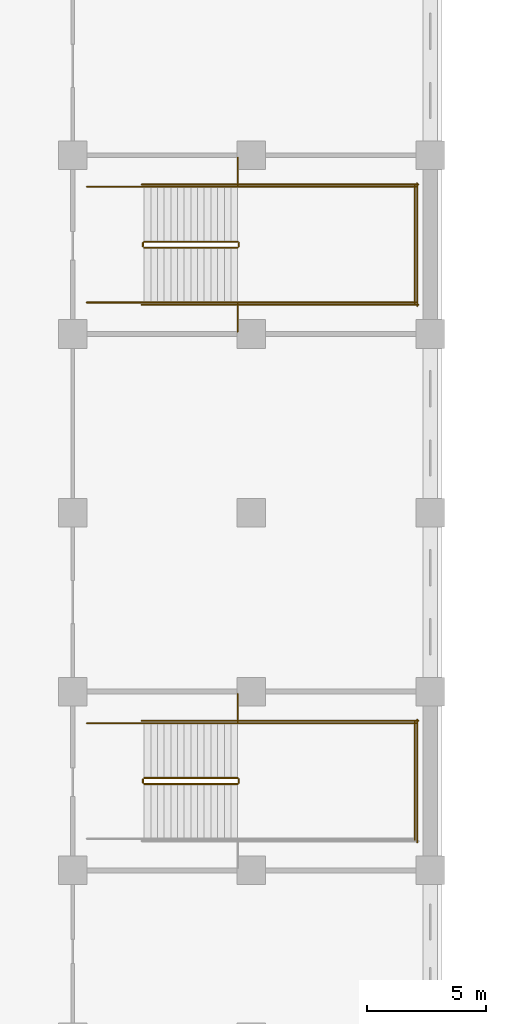
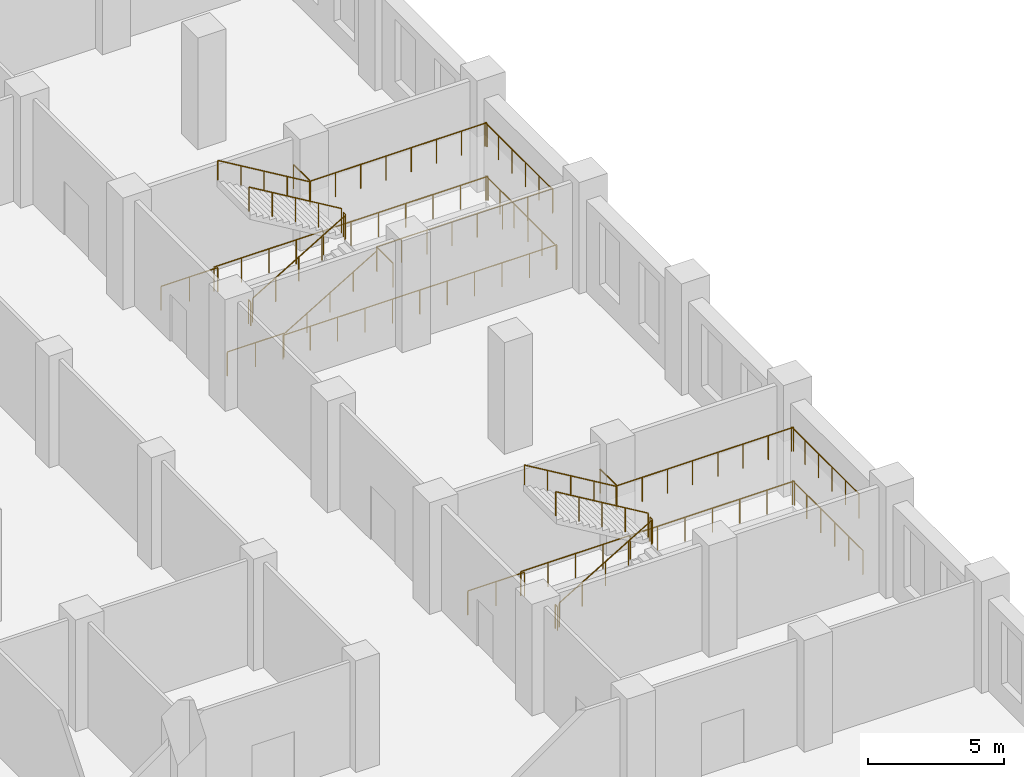
# One storey, part 24 of 32: 27 railings.
"""IFC4 building model written with IfcOpenShell, lengths in metres."""

from ifc_helpers import new_model, si_unit, direction, frame, origin, origin_2d, place, context, subcontext, project, spatial, circle, extrude, material, type_object, element, save


model = new_model("IFC4")

# Units and contexts
model_context = context("Model", 3, precision=1e-05, world=origin(), true_north=direction((0.0, 1.0)))
body_context = subcontext(model_context, "Body", "Model", "MODEL_VIEW")
ifc_project = project(units=[si_unit("LENGTHUNIT", "METRE"), si_unit("AREAUNIT", "SQUARE_METRE"), si_unit("VOLUMEUNIT", "CUBIC_METRE"), si_unit("PLANEANGLEUNIT", "RADIAN"), si_unit("MASSUNIT", "GRAM", prefix="KILO")], contexts=[model_context])

# Site, building, storey
site_placement = place(None, origin())
site = spatial("IfcSite", under=ifc_project, at=site_placement, CompositionType="ELEMENT")
building_placement = place(site_placement, origin())
building = spatial("IfcBuilding", under=site, at=building_placement, Name="Tamorin Gate", CompositionType="ELEMENT")
storey_placement = place(building_placement, frame((0.0, 0.0, 13.5)))
storey = spatial("IfcBuildingStorey", under=building, at=storey_placement, Name="L02", CompositionType="ELEMENT", Elevation=13.5)

# Railings
ifc_material = material(Name="Steel", Category="steel")
railing_type_1 = type_object("IfcRailingType", Name="Podium guard 1100", PredefinedType="GUARDRAIL", material=ifc_material)
railing_1_placement = place(storey_placement, frame((100.0, 56.125, 0.166748046875)))
element("IfcRailing", 1, at=railing_1_placement, inside=storey, type_object=railing_type_1, Name="L02 PS3 stair guard 1", PredefinedType="GUARDRAIL", context=body_context, shape_type="SweptSolid", body=[
    extrude(circle(Radius=0.02392578125, at=origin_2d()), frame((0.0, 0.0, 1.076171875), z_axis=(0.859296244711, 0.0, 0.511478214419), x_axis=(0.0, 1.0, 0.0)), (0.0, 0.0, 1.0), 4.561767578125),
    extrude(circle(Radius=0.02099609375, at=origin_2d()), origin(), (0.0, 0.0, 1.0), 1.052001953125),
    extrude(circle(Radius=0.02099609375, at=origin_2d()), frame((0.97998046875, 0.0, 0.583251953125)), (0.0, 0.0, 1.0), 1.052001953125),
    extrude(circle(Radius=0.02099609375, at=origin_2d()), frame((1.9599609375, 0.0, 1.16650390625)), (0.0, 0.0, 1.0), 1.052001953125),
    extrude(circle(Radius=0.02099609375, at=origin_2d()), frame((2.93994140625, 0.0, 1.75)), (0.0, 0.0, 1.0), 1.052001953125),
    extrude(circle(Radius=0.02099609375, at=origin_2d()), frame((3.919921875, 0.0, 2.333251953125)), (0.0, 0.0, 1.0), 1.052001953125),
])
railing_2_placement = place(storey_placement, frame((103.969970703125, 56.175048828125, 2.5)))
element("IfcRailing", 2, at=railing_2_placement, inside=storey, type_object=railing_type_1, Name="L02 PS3 stair guard 2", PredefinedType="GUARDRAIL", context=body_context, shape_type="SweptSolid", body=[
    extrude(circle(Radius=0.02392578125, at=origin_2d()), frame((0.0, 0.0, 1.076171875), z_axis=(0.0, 1.0, 0.0), x_axis=(-1.0, 0.0, 0.0)), (0.0, 0.0, 1.0), 0.14990234375),
    extrude(circle(Radius=0.02099609375, at=origin_2d()), origin(), (0.0, 0.0, 1.0), 1.052001953125),
    extrude(circle(Radius=0.02099609375, at=origin_2d()), frame((0.0, 0.14990234375, 0.0)), (0.0, 0.0, 1.0), 1.052001953125),
])
railing_3_placement = place(storey_placement, frame((103.919921875, 58.675048828125, 2.5)))
element("IfcRailing", 3, at=railing_3_placement, inside=storey, type_object=railing_type_1, Name="L02 PS3 stair guard 4", PredefinedType="GUARDRAIL", context=body_context, shape_type="SweptSolid", body=[
    extrude(circle(Radius=0.02392578125, at=origin_2d()), frame((0.0, 0.0, 1.076171875), z_axis=(1.0, 0.0, 0.0), x_axis=(0.0, 1.0, 0.0)), (0.0, 0.0, 1.0), 7.47998046875),
    extrude(circle(Radius=0.02099609375, at=origin_2d()), origin(), (0.0, 0.0, 1.0), 1.052001953125),
    extrude(circle(Radius=0.02099609375, at=origin_2d()), frame((1.068603515625, 0.0, 0.0)), (0.0, 0.0, 1.0), 1.052001953125),
    extrude(circle(Radius=0.02099609375, at=origin_2d()), frame((2.13720703125, 0.0, 0.0)), (0.0, 0.0, 1.0), 1.052001953125),
    extrude(circle(Radius=0.02099609375, at=origin_2d()), frame((3.205810546875, 0.0, 0.0)), (0.0, 0.0, 1.0), 1.052001953125),
    extrude(circle(Radius=0.02099609375, at=origin_2d()), frame((4.274169921875, 0.0, 0.0)), (0.0, 0.0, 1.0), 1.052001953125),
    extrude(circle(Radius=0.02099609375, at=origin_2d()), frame((5.3427734375, 0.0, 0.0)), (0.0, 0.0, 1.0), 1.052001953125),
    extrude(circle(Radius=0.02099609375, at=origin_2d()), frame((6.411376953125, 0.0, 0.0)), (0.0, 0.0, 1.0), 1.052001953125),
    extrude(circle(Radius=0.02099609375, at=origin_2d()), frame((7.47998046875, 0.0, 0.0)), (0.0, 0.0, 1.0), 1.052001953125),
])
railing_4_placement = place(storey_placement, frame((111.35009765625, 53.77490234375, 2.5)))
element("IfcRailing", 4, at=railing_4_placement, inside=storey, type_object=railing_type_1, Name="L02 PS3 stair guard 5", PredefinedType="GUARDRAIL", context=body_context, shape_type="SweptSolid", body=[
    extrude(circle(Radius=0.02392578125, at=origin_2d()), frame((0.0, 0.0, 1.076171875), z_axis=(0.0, 1.0, 0.0), x_axis=(-1.0, 0.0, 0.0)), (0.0, 0.0, 1.0), 4.9501953125),
    extrude(circle(Radius=0.02099609375, at=origin_2d()), origin(), (0.0, 0.0, 1.0), 1.052001953125),
    extrude(circle(Radius=0.02099609375, at=origin_2d()), frame((0.0, 0.989990234375, 0.0)), (0.0, 0.0, 1.0), 1.052001953125),
    extrude(circle(Radius=0.02099609375, at=origin_2d()), frame((0.0, 1.97998046875, 0.0)), (0.0, 0.0, 1.0), 1.052001953125),
    extrude(circle(Radius=0.02099609375, at=origin_2d()), frame((0.0, 2.97021484375, 0.0)), (0.0, 0.0, 1.0), 1.052001953125),
    extrude(circle(Radius=0.02099609375, at=origin_2d()), frame((0.0, 3.960205078125, 0.0)), (0.0, 0.0, 1.0), 1.052001953125),
    extrude(circle(Radius=0.02099609375, at=origin_2d()), frame((0.0, 4.9501953125, 0.0)), (0.0, 0.0, 1.0), 1.052001953125),
])
railing_5_placement = place(storey_placement, frame((103.919921875, 56.375, 2.666748046875)))
element("IfcRailing", 5, at=railing_5_placement, inside=storey, type_object=railing_type_1, Name="L02 PS3 stair guard 6", PredefinedType="GUARDRAIL", context=body_context, shape_type="SweptSolid", body=[
    extrude(circle(Radius=0.02392578125, at=origin_2d()), frame((0.0, 0.0, 1.076171875), z_axis=(-0.859296244711, 0.0, 0.511478214419), x_axis=(0.0, -1.0, 0.0)), (0.0, 0.0, 1.0), 4.561767578125),
    extrude(circle(Radius=0.02099609375, at=origin_2d()), origin(), (0.0, 0.0, 1.0), 1.052001953125),
    extrude(circle(Radius=0.02099609375, at=origin_2d()), frame((-0.97998046875, 0.0, 0.583251953125)), (0.0, 0.0, 1.0), 1.052001953125),
    extrude(circle(Radius=0.02099609375, at=origin_2d()), frame((-1.9599609375, 0.0, 1.16650390625)), (0.0, 0.0, 1.0), 1.052001953125),
    extrude(circle(Radius=0.02099609375, at=origin_2d()), frame((-2.93994140625, 0.0, 1.75)), (0.0, 0.0, 1.0), 1.052001953125),
    extrude(circle(Radius=0.02099609375, at=origin_2d()), frame((-3.919921875, 0.0, 2.333251953125)), (0.0, 0.0, 1.0), 1.052001953125),
])
railing_6_placement = place(storey_placement, frame((99.949951171875, 56.175048828125, 0.0)))
element("IfcRailing", 6, at=railing_6_placement, inside=storey, type_object=railing_type_1, Name="L02 PS3 stair guard 7", PredefinedType="GUARDRAIL", context=body_context, shape_type="SweptSolid", body=[
    extrude(circle(Radius=0.02392578125, at=origin_2d()), frame((0.0, 0.0, 1.076171875), z_axis=(0.0, 1.0, 0.0), x_axis=(-1.0, 0.0, 0.0)), (0.0, 0.0, 1.0), 0.14990234375),
    extrude(circle(Radius=0.02099609375, at=origin_2d()), origin(), (0.0, 0.0, 1.0), 1.052001953125),
    extrude(circle(Radius=0.02099609375, at=origin_2d()), frame((0.0, 0.14990234375, 0.0)), (0.0, 0.0, 1.0), 1.052001953125),
])
railing_7_placement = place(storey_placement, frame((97.60009765625, 58.675048828125, 0.0)))
element("IfcRailing", 7, at=railing_7_placement, inside=storey, type_object=railing_type_1, Name="L02 PS3 stair guard 9", PredefinedType="GUARDRAIL", context=body_context, shape_type="SweptSolid", body=[
    extrude(circle(Radius=0.02392578125, at=origin_2d()), frame((0.0, 0.0, 1.076171875), z_axis=(1.0, 0.0, 0.0), x_axis=(0.0, 1.0, 0.0)), (0.0, 0.0, 1.0), 2.39990234375),
    extrude(circle(Radius=0.02099609375, at=origin_2d()), origin(), (0.0, 0.0, 1.0), 1.052001953125),
    extrude(circle(Radius=0.02099609375, at=origin_2d()), frame((1.199951171875, 0.0, 0.0)), (0.0, 0.0, 1.0), 1.052001953125),
    extrude(circle(Radius=0.02099609375, at=origin_2d()), frame((2.39990234375, 0.0, 0.0)), (0.0, 0.0, 1.0), 1.052001953125),
])
railing_8_placement = place(storey_placement, frame((99.89990234375, 58.77490234375, 0.0)))
element("IfcRailing", 8, at=railing_8_placement, inside=storey, type_object=railing_type_1, Name="L02 PS3 stair guard 11", PredefinedType="GUARDRAIL", context=body_context, shape_type="SweptSolid", body=[
    extrude(circle(Radius=0.02392578125, at=origin_2d()), frame((0.0, 0.0, 1.076171875), z_axis=(1.0, 0.0, 0.0), x_axis=(0.0, 1.0, 0.0)), (0.0, 0.0, 1.0), 11.60009765625),
    extrude(circle(Radius=0.02099609375, at=origin_2d()), origin(), (0.0, 0.0, 1.0), 1.052001953125),
    extrude(circle(Radius=0.02099609375, at=origin_2d()), frame((1.159912109375, 0.0, 0.0)), (0.0, 0.0, 1.0), 1.052001953125),
    extrude(circle(Radius=0.02099609375, at=origin_2d()), frame((2.320068359375, 0.0, 0.0)), (0.0, 0.0, 1.0), 1.052001953125),
    extrude(circle(Radius=0.02099609375, at=origin_2d()), frame((3.47998046875, 0.0, 0.0)), (0.0, 0.0, 1.0), 1.052001953125),
    extrude(circle(Radius=0.02099609375, at=origin_2d()), frame((4.64013671875, 0.0, 0.0)), (0.0, 0.0, 1.0), 1.052001953125),
    extrude(circle(Radius=0.02099609375, at=origin_2d()), frame((5.800048828125, 0.0, 0.0)), (0.0, 0.0, 1.0), 1.052001953125),
    extrude(circle(Radius=0.02099609375, at=origin_2d()), frame((6.9599609375, 0.0, 0.0)), (0.0, 0.0, 1.0), 1.052001953125),
    extrude(circle(Radius=0.02099609375, at=origin_2d()), frame((8.1201171875, 0.0, 0.0)), (0.0, 0.0, 1.0), 1.052001953125),
    extrude(circle(Radius=0.02099609375, at=origin_2d()), frame((9.280029296875, 0.0, 0.0)), (0.0, 0.0, 1.0), 1.052001953125),
    extrude(circle(Radius=0.02099609375, at=origin_2d()), frame((10.440185546875, 0.0, 0.0)), (0.0, 0.0, 1.0), 1.052001953125),
    extrude(circle(Radius=0.02099609375, at=origin_2d()), frame((11.60009765625, 0.0, 0.0)), (0.0, 0.0, 1.0), 1.052001953125),
])
railing_9_placement = place(storey_placement, frame((111.449951171875, 53.675048828125, 0.0)))
element("IfcRailing", 9, at=railing_9_placement, inside=storey, type_object=railing_type_1, Name="L02 PS3 stair guard 12", PredefinedType="GUARDRAIL", context=body_context, shape_type="SweptSolid", body=[
    extrude(circle(Radius=0.02392578125, at=origin_2d()), frame((0.0, 0.0, 1.076171875), z_axis=(0.0, 1.0, 0.0), x_axis=(-1.0, 0.0, 0.0)), (0.0, 0.0, 1.0), 5.14990234375),
    extrude(circle(Radius=0.02099609375, at=origin_2d()), origin(), (0.0, 0.0, 1.0), 1.052001953125),
    extrude(circle(Radius=0.02099609375, at=origin_2d()), frame((0.0, 1.030029296875, 0.0)), (0.0, 0.0, 1.0), 1.052001953125),
    extrude(circle(Radius=0.02099609375, at=origin_2d()), frame((0.0, 2.06005859375, 0.0)), (0.0, 0.0, 1.0), 1.052001953125),
    extrude(circle(Radius=0.02099609375, at=origin_2d()), frame((0.0, 3.08984375, 0.0)), (0.0, 0.0, 1.0), 1.052001953125),
    extrude(circle(Radius=0.02099609375, at=origin_2d()), frame((0.0, 4.119873046875, 0.0)), (0.0, 0.0, 1.0), 1.052001953125),
    extrude(circle(Radius=0.02099609375, at=origin_2d()), frame((0.0, 5.14990234375, 0.0)), (0.0, 0.0, 1.0), 1.052001953125),
])
railing_10_placement = place(storey_placement, frame((103.919921875, 58.72509765625, 2.5)))
element("IfcRailing", 10, at=railing_10_placement, inside=storey, type_object=railing_type_1, Name="Landing edge guard", PredefinedType="GUARDRAIL", context=body_context, shape_type="SweptSolid", body=[
    extrude(circle(Radius=0.02392578125, at=origin_2d()), frame((0.0, 0.0, 1.076171875), z_axis=(0.0, 1.0, 0.0), x_axis=(-1.0, 0.0, 0.0)), (0.0, 0.0, 1.0), 1.1748046875),
    extrude(circle(Radius=0.02099609375, at=origin_2d()), origin(), (0.0, 0.0, 1.0), 1.052001953125),
    extrude(circle(Radius=0.02099609375, at=origin_2d()), frame((0.0, 1.1748046875, 0.0)), (0.0, 0.0, 1.0), 1.052001953125),
])
railing_11_placement = place(storey_placement, frame((100.0, 78.625, 0.166748046875)))
element("IfcRailing", 11, at=railing_11_placement, inside=storey, type_object=railing_type_1, Name="L02 PS5 stair guard 1", PredefinedType="GUARDRAIL", context=body_context, shape_type="SweptSolid", body=[
    extrude(circle(Radius=0.02392578125, at=origin_2d()), frame((0.0, 0.0, 1.076171875), z_axis=(0.859296244711, 0.0, 0.511478214419), x_axis=(0.0, 1.0, 0.0)), (0.0, 0.0, 1.0), 4.561767578125),
    extrude(circle(Radius=0.02099609375, at=origin_2d()), origin(), (0.0, 0.0, 1.0), 1.052001953125),
    extrude(circle(Radius=0.02099609375, at=origin_2d()), frame((0.97998046875, 0.0, 0.583251953125)), (0.0, 0.0, 1.0), 1.052001953125),
    extrude(circle(Radius=0.02099609375, at=origin_2d()), frame((1.9599609375, 0.0, 1.16650390625)), (0.0, 0.0, 1.0), 1.052001953125),
    extrude(circle(Radius=0.02099609375, at=origin_2d()), frame((2.93994140625, 0.0, 1.75)), (0.0, 0.0, 1.0), 1.052001953125),
    extrude(circle(Radius=0.02099609375, at=origin_2d()), frame((3.919921875, 0.0, 2.333251953125)), (0.0, 0.0, 1.0), 1.052001953125),
])
railing_12_placement = place(storey_placement, frame((103.969970703125, 78.675048828125, 2.5)))
element("IfcRailing", 12, at=railing_12_placement, inside=storey, type_object=railing_type_1, Name="L02 PS5 stair guard 2", PredefinedType="GUARDRAIL", context=body_context, shape_type="SweptSolid", body=[
    extrude(circle(Radius=0.02392578125, at=origin_2d()), frame((0.0, 0.0, 1.076171875), z_axis=(0.0, 1.0, 0.0), x_axis=(-1.0, 0.0, 0.0)), (0.0, 0.0, 1.0), 0.14990234375),
    extrude(circle(Radius=0.02099609375, at=origin_2d()), origin(), (0.0, 0.0, 1.0), 1.052001953125),
    extrude(circle(Radius=0.02099609375, at=origin_2d()), frame((0.0, 0.14990234375, 0.0)), (0.0, 0.0, 1.0), 1.052001953125),
])
for number, where, name in (
    (13, (103.919921875, 76.324951171875, 2.5), "L02 PS5 stair guard 3"),
    (14, (103.919921875, 81.175048828125, 2.5), "L02 PS5 stair guard 4"),
):
    element("IfcRailing", number, at=place(storey_placement, frame(where)), inside=storey, type_object=railing_type_1, Name=name, PredefinedType="GUARDRAIL", context=body_context, shape_type="SweptSolid", body=[
        extrude(circle(Radius=0.02392578125, at=origin_2d()), frame((0.0, 0.0, 1.076171875), z_axis=(1.0, 0.0, 0.0), x_axis=(0.0, 1.0, 0.0)), (0.0, 0.0, 1.0), 7.47998046875),
        extrude(circle(Radius=0.02099609375, at=origin_2d()), origin(), (0.0, 0.0, 1.0), 1.052001953125),
        extrude(circle(Radius=0.02099609375, at=origin_2d()), frame((1.068603515625, 0.0, 0.0)), (0.0, 0.0, 1.0), 1.052001953125),
        extrude(circle(Radius=0.02099609375, at=origin_2d()), frame((2.13720703125, 0.0, 0.0)), (0.0, 0.0, 1.0), 1.052001953125),
        extrude(circle(Radius=0.02099609375, at=origin_2d()), frame((3.205810546875, 0.0, 0.0)), (0.0, 0.0, 1.0), 1.052001953125),
        extrude(circle(Radius=0.02099609375, at=origin_2d()), frame((4.274169921875, 0.0, 0.0)), (0.0, 0.0, 1.0), 1.052001953125),
        extrude(circle(Radius=0.02099609375, at=origin_2d()), frame((5.3427734375, 0.0, 0.0)), (0.0, 0.0, 1.0), 1.052001953125),
        extrude(circle(Radius=0.02099609375, at=origin_2d()), frame((6.411376953125, 0.0, 0.0)), (0.0, 0.0, 1.0), 1.052001953125),
        extrude(circle(Radius=0.02099609375, at=origin_2d()), frame((7.47998046875, 0.0, 0.0)), (0.0, 0.0, 1.0), 1.052001953125),
    ])
railing_13_placement = place(storey_placement, frame((111.35009765625, 76.27490234375, 2.5)))
element("IfcRailing", 15, at=railing_13_placement, inside=storey, type_object=railing_type_1, Name="L02 PS5 stair guard 5", PredefinedType="GUARDRAIL", context=body_context, shape_type="SweptSolid", body=[
    extrude(circle(Radius=0.02392578125, at=origin_2d()), frame((0.0, 0.0, 1.076171875), z_axis=(0.0, 1.0, 0.0), x_axis=(-1.0, 0.0, 0.0)), (0.0, 0.0, 1.0), 4.9501953125),
    extrude(circle(Radius=0.02099609375, at=origin_2d()), origin(), (0.0, 0.0, 1.0), 1.052001953125),
    extrude(circle(Radius=0.02099609375, at=origin_2d()), frame((0.0, 0.989990234375, 0.0)), (0.0, 0.0, 1.0), 1.052001953125),
    extrude(circle(Radius=0.02099609375, at=origin_2d()), frame((0.0, 1.97998046875, 0.0)), (0.0, 0.0, 1.0), 1.052001953125),
    extrude(circle(Radius=0.02099609375, at=origin_2d()), frame((0.0, 2.97021484375, 0.0)), (0.0, 0.0, 1.0), 1.052001953125),
    extrude(circle(Radius=0.02099609375, at=origin_2d()), frame((0.0, 3.960205078125, 0.0)), (0.0, 0.0, 1.0), 1.052001953125),
    extrude(circle(Radius=0.02099609375, at=origin_2d()), frame((0.0, 4.9501953125, 0.0)), (0.0, 0.0, 1.0), 1.052001953125),
])
railing_14_placement = place(storey_placement, frame((103.919921875, 78.875, 2.666748046875)))
element("IfcRailing", 16, at=railing_14_placement, inside=storey, type_object=railing_type_1, Name="L02 PS5 stair guard 6", PredefinedType="GUARDRAIL", context=body_context, shape_type="SweptSolid", body=[
    extrude(circle(Radius=0.02392578125, at=origin_2d()), frame((0.0, 0.0, 1.076171875), z_axis=(-0.859296244711, 0.0, 0.511478214419), x_axis=(0.0, -1.0, 0.0)), (0.0, 0.0, 1.0), 4.561767578125),
    extrude(circle(Radius=0.02099609375, at=origin_2d()), origin(), (0.0, 0.0, 1.0), 1.052001953125),
    extrude(circle(Radius=0.02099609375, at=origin_2d()), frame((-0.97998046875, 0.0, 0.583251953125)), (0.0, 0.0, 1.0), 1.052001953125),
    extrude(circle(Radius=0.02099609375, at=origin_2d()), frame((-1.9599609375, 0.0, 1.16650390625)), (0.0, 0.0, 1.0), 1.052001953125),
    extrude(circle(Radius=0.02099609375, at=origin_2d()), frame((-2.93994140625, 0.0, 1.75)), (0.0, 0.0, 1.0), 1.052001953125),
    extrude(circle(Radius=0.02099609375, at=origin_2d()), frame((-3.919921875, 0.0, 2.333251953125)), (0.0, 0.0, 1.0), 1.052001953125),
])
railing_15_placement = place(storey_placement, frame((99.949951171875, 78.675048828125, 0.0)))
element("IfcRailing", 17, at=railing_15_placement, inside=storey, type_object=railing_type_1, Name="L02 PS5 stair guard 7", PredefinedType="GUARDRAIL", context=body_context, shape_type="SweptSolid", body=[
    extrude(circle(Radius=0.02392578125, at=origin_2d()), frame((0.0, 0.0, 1.076171875), z_axis=(0.0, 1.0, 0.0), x_axis=(-1.0, 0.0, 0.0)), (0.0, 0.0, 1.0), 0.14990234375),
    extrude(circle(Radius=0.02099609375, at=origin_2d()), origin(), (0.0, 0.0, 1.0), 1.052001953125),
    extrude(circle(Radius=0.02099609375, at=origin_2d()), frame((0.0, 0.14990234375, 0.0)), (0.0, 0.0, 1.0), 1.052001953125),
])
for number, where, name in (
    (18, (97.60009765625, 76.324951171875, 0.0), "L02 PS5 stair guard 8"),
    (19, (97.60009765625, 81.175048828125, 0.0), "L02 PS5 stair guard 9"),
):
    element("IfcRailing", number, at=place(storey_placement, frame(where)), inside=storey, type_object=railing_type_1, Name=name, PredefinedType="GUARDRAIL", context=body_context, shape_type="SweptSolid", body=[
        extrude(circle(Radius=0.02392578125, at=origin_2d()), frame((0.0, 0.0, 1.076171875), z_axis=(1.0, 0.0, 0.0), x_axis=(0.0, 1.0, 0.0)), (0.0, 0.0, 1.0), 2.39990234375),
        extrude(circle(Radius=0.02099609375, at=origin_2d()), origin(), (0.0, 0.0, 1.0), 1.052001953125),
        extrude(circle(Radius=0.02099609375, at=origin_2d()), frame((1.199951171875, 0.0, 0.0)), (0.0, 0.0, 1.0), 1.052001953125),
        extrude(circle(Radius=0.02099609375, at=origin_2d()), frame((2.39990234375, 0.0, 0.0)), (0.0, 0.0, 1.0), 1.052001953125),
    ])
for number, where, name in (
    (20, (99.89990234375, 76.22509765625, 0.0), "L02 PS5 stair guard 10"),
    (21, (99.89990234375, 81.27490234375, 0.0), "L02 PS5 stair guard 11"),
):
    element("IfcRailing", number, at=place(storey_placement, frame(where)), inside=storey, type_object=railing_type_1, Name=name, PredefinedType="GUARDRAIL", context=body_context, shape_type="SweptSolid", body=[
        extrude(circle(Radius=0.02392578125, at=origin_2d()), frame((0.0, 0.0, 1.076171875), z_axis=(1.0, 0.0, 0.0), x_axis=(0.0, 1.0, 0.0)), (0.0, 0.0, 1.0), 11.60009765625),
        extrude(circle(Radius=0.02099609375, at=origin_2d()), origin(), (0.0, 0.0, 1.0), 1.052001953125),
        extrude(circle(Radius=0.02099609375, at=origin_2d()), frame((1.159912109375, 0.0, 0.0)), (0.0, 0.0, 1.0), 1.052001953125),
        extrude(circle(Radius=0.02099609375, at=origin_2d()), frame((2.320068359375, 0.0, 0.0)), (0.0, 0.0, 1.0), 1.052001953125),
        extrude(circle(Radius=0.02099609375, at=origin_2d()), frame((3.47998046875, 0.0, 0.0)), (0.0, 0.0, 1.0), 1.052001953125),
        extrude(circle(Radius=0.02099609375, at=origin_2d()), frame((4.64013671875, 0.0, 0.0)), (0.0, 0.0, 1.0), 1.052001953125),
        extrude(circle(Radius=0.02099609375, at=origin_2d()), frame((5.800048828125, 0.0, 0.0)), (0.0, 0.0, 1.0), 1.052001953125),
        extrude(circle(Radius=0.02099609375, at=origin_2d()), frame((6.9599609375, 0.0, 0.0)), (0.0, 0.0, 1.0), 1.052001953125),
        extrude(circle(Radius=0.02099609375, at=origin_2d()), frame((8.1201171875, 0.0, 0.0)), (0.0, 0.0, 1.0), 1.052001953125),
        extrude(circle(Radius=0.02099609375, at=origin_2d()), frame((9.280029296875, 0.0, 0.0)), (0.0, 0.0, 1.0), 1.052001953125),
        extrude(circle(Radius=0.02099609375, at=origin_2d()), frame((10.440185546875, 0.0, 0.0)), (0.0, 0.0, 1.0), 1.052001953125),
        extrude(circle(Radius=0.02099609375, at=origin_2d()), frame((11.60009765625, 0.0, 0.0)), (0.0, 0.0, 1.0), 1.052001953125),
    ])
railing_16_placement = place(storey_placement, frame((111.449951171875, 76.175048828125, 0.0)))
element("IfcRailing", 22, at=railing_16_placement, inside=storey, type_object=railing_type_1, Name="L02 PS5 stair guard 12", PredefinedType="GUARDRAIL", context=body_context, shape_type="SweptSolid", body=[
    extrude(circle(Radius=0.02392578125, at=origin_2d()), frame((0.0, 0.0, 1.076171875), z_axis=(0.0, 1.0, 0.0), x_axis=(-1.0, 0.0, 0.0)), (0.0, 0.0, 1.0), 5.14990234375),
    extrude(circle(Radius=0.02099609375, at=origin_2d()), origin(), (0.0, 0.0, 1.0), 1.052001953125),
    extrude(circle(Radius=0.02099609375, at=origin_2d()), frame((0.0, 1.030029296875, 0.0)), (0.0, 0.0, 1.0), 1.052001953125),
    extrude(circle(Radius=0.02099609375, at=origin_2d()), frame((0.0, 2.06005859375, 0.0)), (0.0, 0.0, 1.0), 1.052001953125),
    extrude(circle(Radius=0.02099609375, at=origin_2d()), frame((0.0, 3.08984375, 0.0)), (0.0, 0.0, 1.0), 1.052001953125),
    extrude(circle(Radius=0.02099609375, at=origin_2d()), frame((0.0, 4.119873046875, 0.0)), (0.0, 0.0, 1.0), 1.052001953125),
    extrude(circle(Radius=0.02099609375, at=origin_2d()), frame((0.0, 5.14990234375, 0.0)), (0.0, 0.0, 1.0), 1.052001953125),
])
for number, where, name in (
    (23, (103.919921875, 75.10009765625, 2.5), "Landing edge guard"),
    (24, (103.919921875, 81.22509765625, 2.5), "Landing edge guard"),
):
    element("IfcRailing", number, at=place(storey_placement, frame(where)), inside=storey, type_object=railing_type_1, Name=name, PredefinedType="GUARDRAIL", context=body_context, shape_type="SweptSolid", body=[
        extrude(circle(Radius=0.02392578125, at=origin_2d()), frame((0.0, 0.0, 1.076171875), z_axis=(0.0, 1.0, 0.0), x_axis=(-1.0, 0.0, 0.0)), (0.0, 0.0, 1.0), 1.1748046875),
        extrude(circle(Radius=0.02099609375, at=origin_2d()), origin(), (0.0, 0.0, 1.0), 1.052001953125),
        extrude(circle(Radius=0.02099609375, at=origin_2d()), frame((0.0, 1.1748046875, 0.0)), (0.0, 0.0, 1.0), 1.052001953125),
    ])
railing_type_2 = type_object("IfcRailingType", Name="Podium stair handrail 900", PredefinedType="HANDRAIL", material=ifc_material)
railing_17_placement = place(storey_placement, frame((103.919921875, 58.675048828125, 2.666748046875)))
element("IfcRailing", 25, at=railing_17_placement, inside=storey, type_object=railing_type_2, Name="L02 PS3 stair handrail 2", PredefinedType="HANDRAIL", context=body_context, shape_type="SweptSolid", body=[
    extrude(circle(Radius=0.02392578125, at=origin_2d()), frame((0.0, 0.0, 0.8759765625), z_axis=(-0.859296244711, 0.0, 0.511478214419), x_axis=(0.0, -1.0, 0.0)), (0.0, 0.0, 1.0), 4.561767578125),
    extrude(circle(Radius=0.02099609375, at=origin_2d()), origin(), (0.0, 0.0, 1.0), 0.851806640625),
    extrude(circle(Radius=0.02099609375, at=origin_2d()), frame((-0.97998046875, 0.0, 0.583251953125)), (0.0, 0.0, 1.0), 0.851806640625),
    extrude(circle(Radius=0.02099609375, at=origin_2d()), frame((-1.9599609375, 0.0, 1.16650390625)), (0.0, 0.0, 1.0), 0.851806640625),
    extrude(circle(Radius=0.02099609375, at=origin_2d()), frame((-2.93994140625, 0.0, 1.75)), (0.0, 0.0, 1.0), 0.851806640625),
    extrude(circle(Radius=0.02099609375, at=origin_2d()), frame((-3.919921875, 0.0, 2.333251953125)), (0.0, 0.0, 1.0), 0.851806640625),
])
railing_18_placement = place(storey_placement, frame((100.0, 76.324951171875, 0.166748046875)))
element("IfcRailing", 26, at=railing_18_placement, inside=storey, type_object=railing_type_2, Name="L02 PS5 stair handrail 1", PredefinedType="HANDRAIL", context=body_context, shape_type="SweptSolid", body=[
    extrude(circle(Radius=0.02392578125, at=origin_2d()), frame((0.0, 0.0, 0.8759765625), z_axis=(0.859296244711, 0.0, 0.511478214419), x_axis=(0.0, 1.0, 0.0)), (0.0, 0.0, 1.0), 4.561767578125),
    extrude(circle(Radius=0.02099609375, at=origin_2d()), origin(), (0.0, 0.0, 1.0), 0.851806640625),
    extrude(circle(Radius=0.02099609375, at=origin_2d()), frame((0.97998046875, 0.0, 0.583251953125)), (0.0, 0.0, 1.0), 0.851806640625),
    extrude(circle(Radius=0.02099609375, at=origin_2d()), frame((1.9599609375, 0.0, 1.16650390625)), (0.0, 0.0, 1.0), 0.851806640625),
    extrude(circle(Radius=0.02099609375, at=origin_2d()), frame((2.93994140625, 0.0, 1.75)), (0.0, 0.0, 1.0), 0.851806640625),
    extrude(circle(Radius=0.02099609375, at=origin_2d()), frame((3.919921875, 0.0, 2.333251953125)), (0.0, 0.0, 1.0), 0.851806640625),
])
railing_19_placement = place(storey_placement, frame((103.919921875, 81.175048828125, 2.666748046875)))
element("IfcRailing", 27, at=railing_19_placement, inside=storey, type_object=railing_type_2, Name="L02 PS5 stair handrail 2", PredefinedType="HANDRAIL", context=body_context, shape_type="SweptSolid", body=[
    extrude(circle(Radius=0.02392578125, at=origin_2d()), frame((0.0, 0.0, 0.8759765625), z_axis=(-0.859296244711, 0.0, 0.511478214419), x_axis=(0.0, -1.0, 0.0)), (0.0, 0.0, 1.0), 4.561767578125),
    extrude(circle(Radius=0.02099609375, at=origin_2d()), origin(), (0.0, 0.0, 1.0), 0.851806640625),
    extrude(circle(Radius=0.02099609375, at=origin_2d()), frame((-0.97998046875, 0.0, 0.583251953125)), (0.0, 0.0, 1.0), 0.851806640625),
    extrude(circle(Radius=0.02099609375, at=origin_2d()), frame((-1.9599609375, 0.0, 1.16650390625)), (0.0, 0.0, 1.0), 0.851806640625),
    extrude(circle(Radius=0.02099609375, at=origin_2d()), frame((-2.93994140625, 0.0, 1.75)), (0.0, 0.0, 1.0), 0.851806640625),
    extrude(circle(Radius=0.02099609375, at=origin_2d()), frame((-3.919921875, 0.0, 2.333251953125)), (0.0, 0.0, 1.0), 0.851806640625),
])

save(model, "model.ifc")
